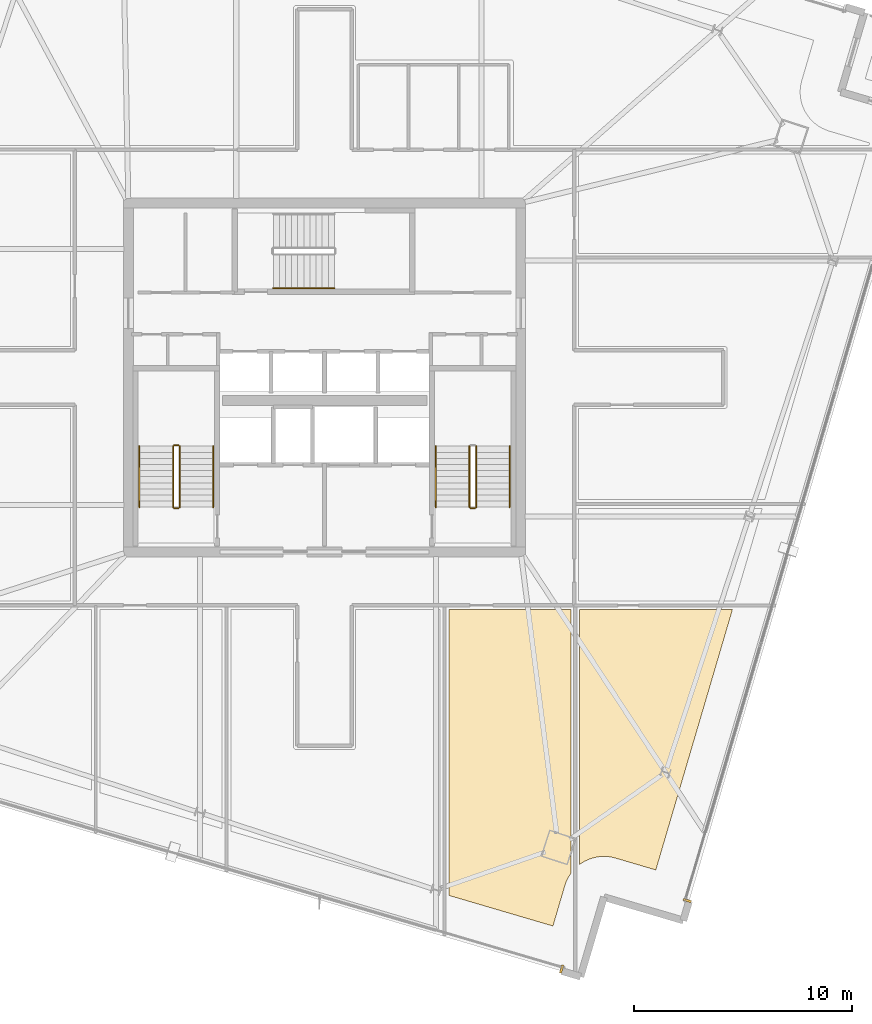
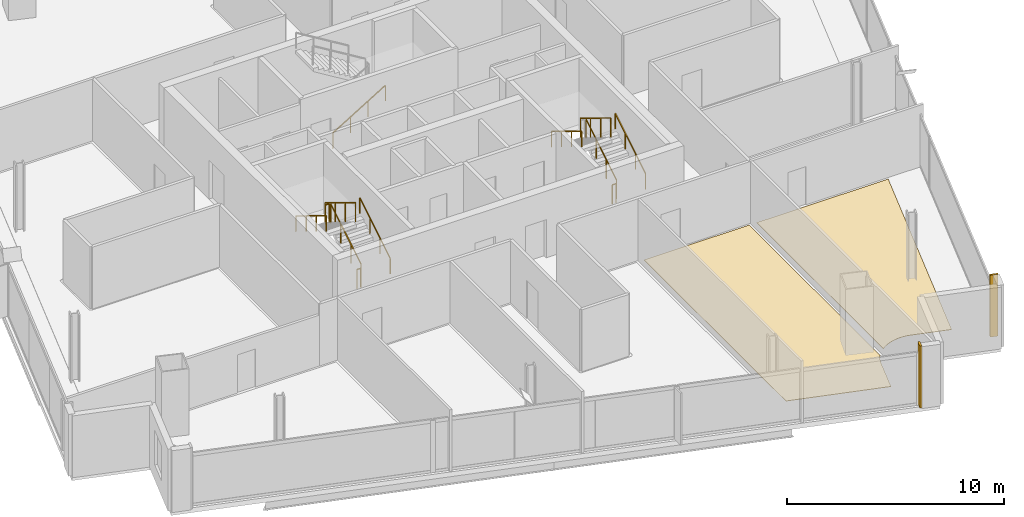
# One storey, part 24 of 26: 12 railings, 4 coverings.
"""IFC4 building model written with IfcOpenShell, lengths in metres."""

from ifc_helpers import new_model, si_unit, direction, frame, origin, origin_2d, place, context, subcontext, project, spatial, polyline, rectangle, outline, extrude, source, transform, mapped, material, layer, layer_set, type_object, element, save


model = new_model("IFC4")

# Units and contexts
model_context = context("Model", 3, precision=1e-05, world=origin(), true_north=direction((0.0, 1.0)))
body_context = subcontext(model_context, "Body", "Model", "MODEL_VIEW")
ifc_project = project(units=[si_unit("LENGTHUNIT", "METRE"), si_unit("AREAUNIT", "SQUARE_METRE"), si_unit("VOLUMEUNIT", "CUBIC_METRE"), si_unit("PLANEANGLEUNIT", "RADIAN"), si_unit("MASSUNIT", "GRAM", prefix="KILO")], contexts=[model_context])

# Site, building, storey
site_placement = place(None, origin())
site = spatial("IfcSite", under=ifc_project, at=site_placement, CompositionType="ELEMENT")
building_placement = place(site_placement, origin())
building = spatial("IfcBuilding", under=site, at=building_placement, Name="Haldenkirk Collegiate Tower", CompositionType="ELEMENT")
storey_placement = place(building_placement, frame((0.0, 0.0, 274.949951171875)))
storey = spatial("IfcBuildingStorey", under=building, at=storey_placement, Name="L69", CompositionType="ELEMENT", Elevation=274.949951171875)

# Coverings
ifc_material_1 = material(Name="Polished collegiate terrazzo", Category="concrete")
ifc_layer_1 = layer(ifc_material_1, 0.02490234375)
ifc_layer_set_1 = layer_set([ifc_layer_1], Name="Polished collegiate terrazzo")
covering_type_1 = type_object("IfcCoveringType", Name="COV-FLOOR-TERRAZZO", PredefinedType="FLOORING", material=ifc_layer_set_1)
covering_1_placement = place(storey_placement, origin())
element("IfcCovering", 1, at=covering_1_placement, inside=storey, type_object=covering_type_1, Name="L69 academic room finish 04", PredefinedType="FLOORING", context=body_context, shape_type="SweptSolid", body=[
    extrude(outline(polyline([(47.255859375, 3.192626953125), (47.249267578125, 3.1826171875), (47.162353515625, 3.03466796875), (47.156982421875, 3.0244140625), (47.084716796875, 2.868408203125), (47.080322265625, 2.857421875), (47.023681640625, 2.6953125), (47.02197265625, 2.689697265625), (46.47705078125, 0.838134765625), (41.699951171875, 2.244140625), (41.699951171875, 15.35009765625), (47.300048828125, 15.35009765625), (47.300048828125, 3.253173828125), (47.255859375, 3.192626953125)])), origin(), (0.0, 0.0, 1.0), 0.025146484375),
])
ifc_material_2 = material(Name="Engineered collegiate oak acoustic flooring", Category="wood")
ifc_layer_2 = layer(ifc_material_2, 0.02197265625)
ifc_layer_set_2 = layer_set([ifc_layer_2], Name="Engineered collegiate oak acoustic flooring")
covering_type_2 = type_object("IfcCoveringType", Name="COV-FLOOR-TIMBER", PredefinedType="FLOORING", material=ifc_layer_set_2)
covering_2_placement = place(storey_placement, origin())
element("IfcCovering", 2, at=covering_2_placement, inside=storey, type_object=covering_type_2, Name="L69 academic room finish 05", PredefinedType="FLOORING", context=body_context, shape_type="SweptSolid", body=[
    extrude(outline(polyline([(47.699951171875, 3.65966796875), (47.699951171875, 15.35009765625), (54.709228515625, 15.35009765625), (51.1953125, 3.41064453125), (49.343994140625, 3.95556640625), (49.338134765625, 3.95703125), (49.17138671875, 3.997314453125), (49.15966796875, 3.99951171875), (48.989501953125, 4.0234375), (48.977783203125, 4.0244140625), (48.806396484375, 4.031494140625), (48.794677734375, 4.031494140625), (48.623046875, 4.021484375), (48.611328125, 4.0205078125), (48.441650390625, 3.993896484375), (48.43017578125, 3.991455078125), (48.263916015625, 3.9482421875), (48.252685546875, 3.944580078125), (48.09130859375, 3.885498046875), (48.08056640625, 3.880859375), (47.926025390625, 3.80615234375), (47.915771484375, 3.800537109375), (47.76904296875, 3.711181640625), (47.75927734375, 3.70458984375), (47.699951171875, 3.65966796875)])), origin(), (0.0, 0.0, 1.0), 0.02197265625),
])

# Railings
ifc_material_3 = material(Name="Painted architectural tubular steel", Category="steel")
railing_type_1 = type_object("IfcRailingType", Name="RLG-STAIR-GUARD-1100", PredefinedType="BALUSTRADE", material=ifc_material_3)
railing_1_placement = place(storey_placement, frame((29.35009765625, 20.050048828125, 0.17041015625)))
element("IfcRailing", 3, at=railing_1_placement, inside=storey, type_object=railing_type_1, Name="L69 ST-1 stair guard 1", PredefinedType="BALUSTRADE", context=body_context, shape_type="SweptSolid", body=[
    extrude(rectangle(XDim=0.048095703125, YDim=0.048095703125, at=origin_2d()), frame((0.0, 0.0, 1.076171875), z_axis=(0.0, 0.854169791009, 0.51999420009), x_axis=(-1.0, 0.0, 0.0)), (0.0, 0.0, 1.0), 3.278076171875),
    extrude(rectangle(XDim=0.0419921875, YDim=0.0419921875, at=origin_2d()), origin(), (0.0, 0.0, 1.0), 1.052001953125),
    extrude(rectangle(XDim=0.0419921875, YDim=0.0419921875, at=origin_2d()), frame((0.0, 0.933349609375, 0.568115234375)), (0.0, 0.0, 1.0), 1.052001953125),
    extrude(rectangle(XDim=0.0419921875, YDim=0.0419921875, at=origin_2d()), frame((0.0, 1.86669921875, 1.136474609375)), (0.0, 0.0, 1.0), 1.052001953125),
    extrude(rectangle(XDim=0.0419921875, YDim=0.0419921875, at=origin_2d()), frame((0.0, 2.800048828125, 1.70458984375)), (0.0, 0.0, 1.0), 1.052001953125),
])
railing_2_placement = place(storey_placement, frame((29.300048828125, 22.89990234375, 1.875)))
element("IfcRailing", 4, at=railing_2_placement, inside=storey, type_object=railing_type_1, Name="L69 ST-1 stair guard 2", PredefinedType="BALUSTRADE", context=body_context, shape_type="SweptSolid", body=[
    extrude(rectangle(XDim=0.048095703125, YDim=0.048095703125, at=origin_2d()), frame((0.0, 0.0, 1.076171875), z_axis=(-1.0, 0.0, 0.0), x_axis=(0.0, -1.0, 0.0)), (0.0, 0.0, 1.0), 0.199951171875),
    extrude(rectangle(XDim=0.0419921875, YDim=0.0419921875, at=origin_2d()), origin(), (0.0, 0.0, 1.0), 1.052001953125),
    extrude(rectangle(XDim=0.0419921875, YDim=0.0419921875, at=origin_2d()), frame((-0.199951171875, 0.0, 0.0)), (0.0, 0.0, 1.0), 1.052001953125),
])
railing_3_placement = place(storey_placement, frame((29.050048828125, 22.85009765625, 2.04541015625)))
element("IfcRailing", 5, at=railing_3_placement, inside=storey, type_object=railing_type_1, Name="L69 ST-1 stair guard 3", PredefinedType="BALUSTRADE", context=body_context, shape_type="SweptSolid", body=[
    extrude(rectangle(XDim=0.048095703125, YDim=0.048095703125, at=origin_2d()), frame((0.0, 0.0, 1.076171875), z_axis=(0.0, -0.854169791009, 0.51999420009), x_axis=(1.0, 0.0, 0.0)), (0.0, 0.0, 1.0), 3.278076171875),
    extrude(rectangle(XDim=0.0419921875, YDim=0.0419921875, at=origin_2d()), origin(), (0.0, 0.0, 1.0), 1.052001953125),
    extrude(rectangle(XDim=0.0419921875, YDim=0.0419921875, at=origin_2d()), frame((0.0, -0.933349609375, 0.568115234375)), (0.0, 0.0, 1.0), 1.052001953125),
    extrude(rectangle(XDim=0.0419921875, YDim=0.0419921875, at=origin_2d()), frame((0.0, -1.86669921875, 1.136474609375)), (0.0, 0.0, 1.0), 1.052001953125),
    extrude(rectangle(XDim=0.0419921875, YDim=0.0419921875, at=origin_2d()), frame((0.0, -2.800048828125, 1.70458984375)), (0.0, 0.0, 1.0), 1.052001953125),
])
railing_4_placement = place(storey_placement, frame((29.300048828125, 20.0, 0.0)))
element("IfcRailing", 6, at=railing_4_placement, inside=storey, type_object=railing_type_1, Name="L69 ST-1 stair guard 4", PredefinedType="BALUSTRADE", context=body_context, shape_type="SweptSolid", body=[
    extrude(rectangle(XDim=0.048095703125, YDim=0.048095703125, at=origin_2d()), frame((0.0, 0.0, 1.076171875), z_axis=(-1.0, 0.0, 0.0), x_axis=(0.0, -1.0, 0.0)), (0.0, 0.0, 1.0), 0.199951171875),
    extrude(rectangle(XDim=0.0419921875, YDim=0.0419921875, at=origin_2d()), origin(), (0.0, 0.0, 1.0), 1.052001953125),
    extrude(rectangle(XDim=0.0419921875, YDim=0.0419921875, at=origin_2d()), frame((-0.199951171875, 0.0, 0.0)), (0.0, 0.0, 1.0), 1.052001953125),
])
railing_5_placement = place(storey_placement, frame((42.949951171875, 20.050048828125, 0.17041015625)))
element("IfcRailing", 7, at=railing_5_placement, inside=storey, type_object=railing_type_1, Name="L69 ST-2 stair guard 1", PredefinedType="BALUSTRADE", context=body_context, shape_type="SweptSolid", body=[
    extrude(rectangle(XDim=0.048095703125, YDim=0.048095703125, at=origin_2d()), frame((0.0, 0.0, 1.076171875), z_axis=(0.0, 0.854169791009, 0.51999420009), x_axis=(-1.0, 0.0, 0.0)), (0.0, 0.0, 1.0), 3.278076171875),
    extrude(rectangle(XDim=0.0419921875, YDim=0.0419921875, at=origin_2d()), origin(), (0.0, 0.0, 1.0), 1.052001953125),
    extrude(rectangle(XDim=0.0419921875, YDim=0.0419921875, at=origin_2d()), frame((0.0, 0.933349609375, 0.568115234375)), (0.0, 0.0, 1.0), 1.052001953125),
    extrude(rectangle(XDim=0.0419921875, YDim=0.0419921875, at=origin_2d()), frame((0.0, 1.86669921875, 1.136474609375)), (0.0, 0.0, 1.0), 1.052001953125),
    extrude(rectangle(XDim=0.0419921875, YDim=0.0419921875, at=origin_2d()), frame((0.0, 2.800048828125, 1.70458984375)), (0.0, 0.0, 1.0), 1.052001953125),
])
railing_6_placement = place(storey_placement, frame((42.64990234375, 22.85009765625, 2.04541015625)))
element("IfcRailing", 8, at=railing_6_placement, inside=storey, type_object=railing_type_1, Name="L69 ST-2 stair guard 3", PredefinedType="BALUSTRADE", context=body_context, shape_type="SweptSolid", body=[
    extrude(rectangle(XDim=0.048095703125, YDim=0.048095703125, at=origin_2d()), frame((0.0, 0.0, 1.076171875), z_axis=(0.0, -0.854169791009, 0.51999420009), x_axis=(1.0, 0.0, 0.0)), (0.0, 0.0, 1.0), 3.278076171875),
    extrude(rectangle(XDim=0.0419921875, YDim=0.0419921875, at=origin_2d()), origin(), (0.0, 0.0, 1.0), 1.052001953125),
    extrude(rectangle(XDim=0.0419921875, YDim=0.0419921875, at=origin_2d()), frame((0.0, -0.933349609375, 0.568115234375)), (0.0, 0.0, 1.0), 1.052001953125),
    extrude(rectangle(XDim=0.0419921875, YDim=0.0419921875, at=origin_2d()), frame((0.0, -1.86669921875, 1.136474609375)), (0.0, 0.0, 1.0), 1.052001953125),
    extrude(rectangle(XDim=0.0419921875, YDim=0.0419921875, at=origin_2d()), frame((0.0, -2.800048828125, 1.70458984375)), (0.0, 0.0, 1.0), 1.052001953125),
])
railing_7_placement = place(storey_placement, frame((42.89990234375, 20.0, 0.0)))
element("IfcRailing", 9, at=railing_7_placement, inside=storey, type_object=railing_type_1, Name="L69 ST-2 stair guard 4", PredefinedType="BALUSTRADE", context=body_context, shape_type="SweptSolid", body=[
    extrude(rectangle(XDim=0.048095703125, YDim=0.048095703125, at=origin_2d()), frame((0.0, 0.0, 1.076171875), z_axis=(-1.0, 0.0, 0.0), x_axis=(0.0, -1.0, 0.0)), (0.0, 0.0, 1.0), 0.199951171875),
    extrude(rectangle(XDim=0.0419921875, YDim=0.0419921875, at=origin_2d()), origin(), (0.0, 0.0, 1.0), 1.052001953125),
    extrude(rectangle(XDim=0.0419921875, YDim=0.0419921875, at=origin_2d()), frame((-0.199951171875, 0.0, 0.0)), (0.0, 0.0, 1.0), 1.052001953125),
])
railing_type_2 = type_object("IfcRailingType", Name="RLG-STAIR-HANDRAIL-900", PredefinedType="HANDRAIL", material=ifc_material_3)
railing_8_placement = place(storey_placement, frame((30.89990234375, 20.050048828125, 0.17041015625)))
element("IfcRailing", 10, at=railing_8_placement, inside=storey, type_object=railing_type_2, Name="L69 ST-1 stair handrail 1", PredefinedType="HANDRAIL", context=body_context, shape_type="SweptSolid", body=[
    extrude(rectangle(XDim=0.048095703125, YDim=0.048095703125, at=origin_2d()), frame((0.0, 0.0, 0.8759765625), z_axis=(0.0, 0.854169791009, 0.51999420009), x_axis=(-1.0, 0.0, 0.0)), (0.0, 0.0, 1.0), 3.278076171875),
    extrude(rectangle(XDim=0.0419921875, YDim=0.0419921875, at=origin_2d()), origin(), (0.0, 0.0, 1.0), 0.851806640625),
    extrude(rectangle(XDim=0.0419921875, YDim=0.0419921875, at=origin_2d()), frame((0.0, 0.933349609375, 0.568115234375)), (0.0, 0.0, 1.0), 0.851806640625),
    extrude(rectangle(XDim=0.0419921875, YDim=0.0419921875, at=origin_2d()), frame((0.0, 1.86669921875, 1.136474609375)), (0.0, 0.0, 1.0), 0.851806640625),
    extrude(rectangle(XDim=0.0419921875, YDim=0.0419921875, at=origin_2d()), frame((0.0, 2.800048828125, 1.70458984375)), (0.0, 0.0, 1.0), 0.851806640625),
])
railing_9_placement = place(storey_placement, frame((27.5, 22.85009765625, 2.04541015625)))
element("IfcRailing", 11, at=railing_9_placement, inside=storey, type_object=railing_type_2, Name="L69 ST-1 stair handrail 2", PredefinedType="HANDRAIL", context=body_context, shape_type="SweptSolid", body=[
    extrude(rectangle(XDim=0.048095703125, YDim=0.048095703125, at=origin_2d()), frame((0.0, 0.0, 0.8759765625), z_axis=(0.0, -0.854169791009, 0.51999420009), x_axis=(1.0, 0.0, 0.0)), (0.0, 0.0, 1.0), 3.278076171875),
    extrude(rectangle(XDim=0.0419921875, YDim=0.0419921875, at=origin_2d()), origin(), (0.0, 0.0, 1.0), 0.851806640625),
    extrude(rectangle(XDim=0.0419921875, YDim=0.0419921875, at=origin_2d()), frame((0.0, -0.933349609375, 0.568115234375)), (0.0, 0.0, 1.0), 0.851806640625),
    extrude(rectangle(XDim=0.0419921875, YDim=0.0419921875, at=origin_2d()), frame((0.0, -1.86669921875, 1.136474609375)), (0.0, 0.0, 1.0), 0.851806640625),
    extrude(rectangle(XDim=0.0419921875, YDim=0.0419921875, at=origin_2d()), frame((0.0, -2.800048828125, 1.70458984375)), (0.0, 0.0, 1.0), 0.851806640625),
])
railing_10_placement = place(storey_placement, frame((44.5, 20.050048828125, 0.17041015625)))
element("IfcRailing", 12, at=railing_10_placement, inside=storey, type_object=railing_type_2, Name="L69 ST-2 stair handrail 1", PredefinedType="HANDRAIL", context=body_context, shape_type="SweptSolid", body=[
    extrude(rectangle(XDim=0.048095703125, YDim=0.048095703125, at=origin_2d()), frame((0.0, 0.0, 0.8759765625), z_axis=(0.0, 0.854169791009, 0.51999420009), x_axis=(-1.0, 0.0, 0.0)), (0.0, 0.0, 1.0), 3.278076171875),
    extrude(rectangle(XDim=0.0419921875, YDim=0.0419921875, at=origin_2d()), origin(), (0.0, 0.0, 1.0), 0.851806640625),
    extrude(rectangle(XDim=0.0419921875, YDim=0.0419921875, at=origin_2d()), frame((0.0, 0.933349609375, 0.568115234375)), (0.0, 0.0, 1.0), 0.851806640625),
    extrude(rectangle(XDim=0.0419921875, YDim=0.0419921875, at=origin_2d()), frame((0.0, 1.86669921875, 1.136474609375)), (0.0, 0.0, 1.0), 0.851806640625),
    extrude(rectangle(XDim=0.0419921875, YDim=0.0419921875, at=origin_2d()), frame((0.0, 2.800048828125, 1.70458984375)), (0.0, 0.0, 1.0), 0.851806640625),
])
railing_11_placement = place(storey_placement, frame((41.10009765625, 22.85009765625, 2.04541015625)))
element("IfcRailing", 13, at=railing_11_placement, inside=storey, type_object=railing_type_2, Name="L69 ST-2 stair handrail 2", PredefinedType="HANDRAIL", context=body_context, shape_type="SweptSolid", body=[
    extrude(rectangle(XDim=0.048095703125, YDim=0.048095703125, at=origin_2d()), frame((0.0, 0.0, 0.8759765625), z_axis=(0.0, -0.854169791009, 0.51999420009), x_axis=(1.0, 0.0, 0.0)), (0.0, 0.0, 1.0), 3.278076171875),
    extrude(rectangle(XDim=0.0419921875, YDim=0.0419921875, at=origin_2d()), origin(), (0.0, 0.0, 1.0), 0.851806640625),
    extrude(rectangle(XDim=0.0419921875, YDim=0.0419921875, at=origin_2d()), frame((0.0, -0.933349609375, 0.568115234375)), (0.0, 0.0, 1.0), 0.851806640625),
    extrude(rectangle(XDim=0.0419921875, YDim=0.0419921875, at=origin_2d()), frame((0.0, -1.86669921875, 1.136474609375)), (0.0, 0.0, 1.0), 0.851806640625),
    extrude(rectangle(XDim=0.0419921875, YDim=0.0419921875, at=origin_2d()), frame((0.0, -2.800048828125, 1.70458984375)), (0.0, 0.0, 1.0), 0.851806640625),
])
railing_12_placement = place(storey_placement, frame((33.64990234375, 30.10009765625, 0.17041015625)))
element("IfcRailing", 14, at=railing_12_placement, inside=storey, type_object=railing_type_2, Name="L69 ST-3 stair handrail 1", PredefinedType="HANDRAIL", context=body_context, shape_type="SweptSolid", body=[
    extrude(rectangle(XDim=0.048095703125, YDim=0.048095703125, at=origin_2d()), frame((0.0, 0.0, 0.8759765625), z_axis=(0.854169791009, 0.0, 0.51999420009), x_axis=(0.0, 1.0, 0.0)), (0.0, 0.0, 1.0), 3.278076171875),
    extrude(rectangle(XDim=0.0419921875, YDim=0.0419921875, at=origin_2d()), origin(), (0.0, 0.0, 1.0), 0.851806640625),
    extrude(rectangle(XDim=0.0419921875, YDim=0.0419921875, at=origin_2d()), frame((0.933349609375, 0.0, 0.568115234375)), (0.0, 0.0, 1.0), 0.851806640625),
    extrude(rectangle(XDim=0.0419921875, YDim=0.0419921875, at=origin_2d()), frame((1.86669921875, 0.0, 1.136474609375)), (0.0, 0.0, 1.0), 0.851806640625),
    extrude(rectangle(XDim=0.0419921875, YDim=0.0419921875, at=origin_2d()), frame((2.800048828125, 0.0, 1.70458984375)), (0.0, 0.0, 1.0), 0.851806640625),
])

# Coverings
ifc_material_4 = material(Name="Anodised architectural bronze aluminium", Category="aluminium")
ifc_layer_3 = layer(ifc_material_4, 0.06005859375)
ifc_layer_set_3 = layer_set([ifc_layer_3], Name="Anodised architectural bronze aluminium")
covering_type_3 = type_object("IfcCoveringType", Name="COV-CLAD-BRONZE-60", PredefinedType="CLADDING", material=ifc_layer_set_3)
shared_shape = source(origin(), body_context, "Body", "SweptSolid", [
    extrude(rectangle(XDim=0.10009765625, YDim=0.3798828125, at=origin_2d()), origin(), (0.0, 0.0, 1.0), 3.47998046875),
])
for number, where, z_axis, x_axis, name in (
    (15, (52.637451171875, 2.00634765625, 0.0), (0.0, 0.0, 1.0), (-0.282341456843, -0.95931397454, 0.0), "L69 recessed curtain-wall bronze jamb closure SJR"),
    (16, (46.876220703125, -1.134765625, 0.0), (0.0, 0.0, 1.0), (-0.95931397454, 0.282341456843, 0.0), "L69 recessed curtain-wall bronze jamb closure WJL"),
):
    element("IfcCovering", number, at=place(storey_placement, frame(where, z_axis=z_axis, x_axis=x_axis)), inside=storey, type_object=covering_type_3, Name=name, PredefinedType="CLADDING", context=body_context, shape_type="MappedRepresentation", body=[
        mapped(shared_shape, transform((0.0, 0.0, 0.0), x_axis=(1.0, 0.0, 0.0), y_axis=(0.0, 1.0, 0.0), z_axis=(0.0, 0.0, 1.0), scale=1.0)),
    ])

save(model, "model.ifc")
